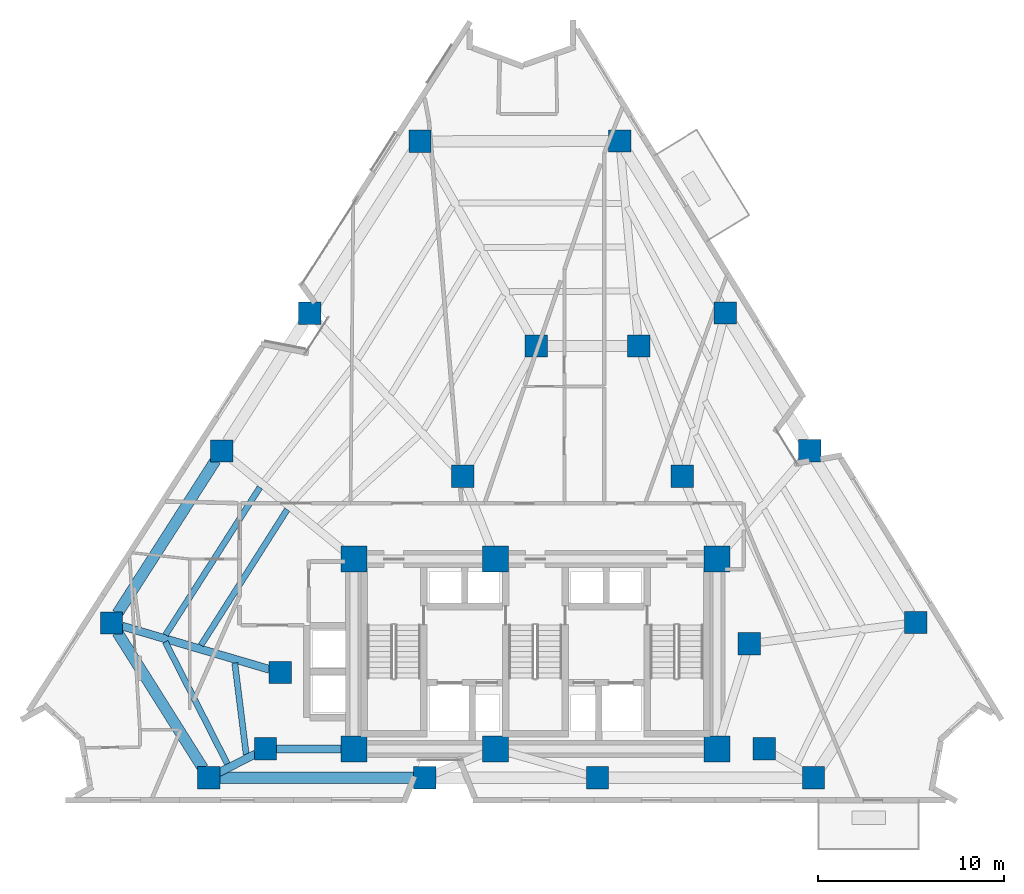
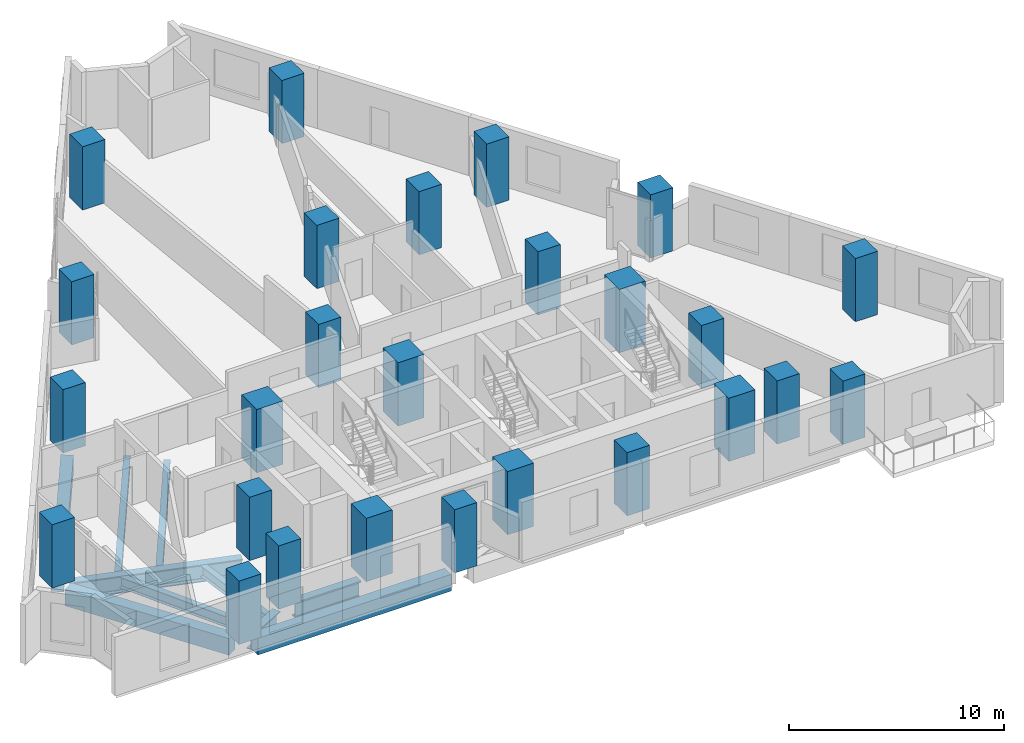
# One storey, part 1 of 13: 26 columns, 10 beams.
"""IFC4 building model written with IfcOpenShell, lengths in metres."""

from ifc_helpers import new_model, si_unit, direction, frame, origin, origin_2d, place, context, subcontext, project, spatial, rectangle, i_section, extrude, material, material_profile, profile_set, type_object, element, save


model = new_model("IFC4")

# Units and contexts
model_context = context("Model", 3, precision=1e-05, world=origin(), true_north=direction((0.0, 1.0)))
body_context = subcontext(model_context, "Body", "Model", "MODEL_VIEW")
ifc_project = project(units=[si_unit("LENGTHUNIT", "METRE"), si_unit("AREAUNIT", "SQUARE_METRE"), si_unit("VOLUMEUNIT", "CUBIC_METRE"), si_unit("PLANEANGLEUNIT", "RADIAN"), si_unit("MASSUNIT", "GRAM", prefix="KILO")], contexts=[model_context])

# Site, building, storey
site_placement = place(None, origin())
site = spatial("IfcSite", under=ifc_project, at=site_placement, CompositionType="ELEMENT")
building_placement = place(site_placement, origin())
building = spatial("IfcBuilding", under=site, at=building_placement, Name="Almagre Mirador Tower", CompositionType="ELEMENT")
storey_placement = place(building_placement, frame((0.0, 0.0, 85.800048828125)))
storey = spatial("IfcBuildingStorey", under=building, at=storey_placement, Name="L21", CompositionType="ELEMENT", Elevation=85.800048828125)

# Columns
ifc_material_1 = material(Name="Concrete C60/75", Category="concrete")
ifc_material_profile_1 = material_profile(ifc_material_1, rectangle(XDim=1.199951171875, YDim=1.199951171875, at=origin_2d()), Name="RC1200X1200")
ifc_profile_set_1 = profile_set([ifc_material_profile_1], Name="Concrete C60/75")
column_type_1 = type_object("IfcColumnType", Name="COL-RC1200", PredefinedType="COLUMN", material=ifc_profile_set_1)
for number, where, z_axis, x_axis, name in (
    (1, (22.800048828125, 4.550048828125, 0.0), (0.0, 0.0, 1.0), (1.0, 0.0, 0.0), "L21 interior transfer column MC1"),
    (2, (49.60009765625, 4.550048828125, 0.0), (0.0, 0.0, 1.0), (1.0, 0.0, 0.0), "L21 interior transfer column MC2"),
    (3, (48.800048828125, 10.199951171875, 0.0), (0.0, 0.0, 1.0), (1.0, 0.0, 0.0), "L21 interior transfer column MC3"),
    (4, (45.199951171875, 19.199951171875, 0.0), (0.0, 0.0, 1.0), (1.0, 0.0, 0.0), "L21 interior transfer column MC5"),
    (5, (42.85009765625, 26.199951171875, 0.0), (0.0, 0.0, 1.0), (1.0, 0.0, 0.0), "L21 interior transfer column MC6"),
    (6, (37.35009765625, 26.199951171875, 0.0), (0.0, 0.0, 1.0), (1.0, 0.0, 0.0), "L21 interior transfer column MC7"),
    (7, (33.39990234375, 19.199951171875, 0.0), (0.0, 0.0, 1.0), (1.0, 0.0, 0.0), "L21 interior transfer column MC8"),
    (8, (23.60009765625, 8.64990234375, 0.0), (0.0, 0.0, 1.0), (1.0, 0.0, 0.0), "L21 interior transfer column MC10"),
    (9, (19.760009765625, 3.0, 0.0), (0.0, 0.0, 1.0), (1.0, 0.0, 0.0), "L21 perimeter column PC01"),
    (10, (31.360107421875, 3.0, 0.0), (0.0, 0.0, 1.0), (1.0, 0.0, 0.0), "L21 perimeter column PC02"),
    (11, (40.639892578125, 3.0, 0.0), (0.0, 0.0, 1.0), (1.0, 0.0, 0.0), "L21 perimeter column PC03"),
    (12, (52.239990234375, 3.0, 0.0), (0.0, 0.0, 1.0), (1.0, 0.0, 0.0), "L21 perimeter column PC04"),
    (13, (57.72998046875, 11.3359375, 0.0), (0.0, 0.0, 1.0), (1.0, 0.0, 0.0), "L21 perimeter column PC05"),
    (14, (52.050048828125, 20.575927734375, 0.0), (0.0, 0.0, 1.0), (1.0, 0.0, 0.0), "L21 perimeter column PC06"),
    (15, (47.506103515625, 27.968017578125, 0.0), (0.0, 0.0, 1.0), (1.0, 0.0, 0.0), "L21 perimeter column PC07"),
    (16, (41.825927734375, 37.2080078125, 0.0), (0.0, 0.0, 1.0), (1.0, 0.0, 0.0), "L21 perimeter column PC08"),
    (17, (31.097900390625, 37.18896484375, 0.0), (0.0, 0.0, 1.0), (1.0, 0.0, 0.0), "L21 perimeter column PC09"),
    (18, (25.177978515625, 27.948974609375, 0.0), (0.0, 0.0, 1.0), (1.0, 0.0, 0.0), "L21 perimeter column PC10"),
    (19, (20.44189453125, 20.556884765625, 0.0), (0.0, 0.0, 1.0), (1.0, 0.0, 0.0), "L21 perimeter column PC11"),
    (20, (14.52197265625, 11.31689453125, 0.0), (0.0, 0.0, 1.0), (1.0, 0.0, 0.0), "L21 perimeter column PC12"),
):
    element("IfcColumn", number, at=place(storey_placement, frame(where, z_axis=z_axis, x_axis=x_axis)), inside=storey, type_object=column_type_1, Name=name, PredefinedType="COLUMN", context=body_context, shape_type="SweptSolid", body=[
        extrude(rectangle(XDim=1.199951171875, YDim=1.199951171875, at=origin_2d()), origin(), (0.0, 0.0, 1.0), 3.599853515625),
    ])
ifc_material_2 = material(Name="Concrete C60/75", Category="concrete")
ifc_material_profile_2 = material_profile(ifc_material_2, rectangle(XDim=1.39990234375, YDim=1.39990234375, at=origin_2d()), Name="RC1400X1400")
ifc_profile_set_2 = profile_set([ifc_material_profile_2], Name="Concrete C60/75")
column_type_2 = type_object("IfcColumnType", Name="COL-RC1400", PredefinedType="COLUMN", material=ifc_profile_set_2)
for number, where, z_axis, x_axis, name in (
    (21, (27.550048828125, 4.550048828125, 0.0), (0.0, 0.0, 1.0), (1.0, 0.0, 0.0), "L21 core spine column CC1"),
    (22, (35.14990234375, 4.550048828125, 0.0), (0.0, 0.0, 1.0), (1.0, 0.0, 0.0), "L21 core spine column CC2"),
    (23, (47.050048828125, 4.550048828125, 0.0), (0.0, 0.0, 1.0), (1.0, 0.0, 0.0), "L21 core spine column CC3"),
    (24, (27.550048828125, 14.75, 0.0), (0.0, 0.0, 1.0), (1.0, 0.0, 0.0), "L21 core spine column CC4"),
    (25, (35.14990234375, 14.75, 0.0), (0.0, 0.0, 1.0), (1.0, 0.0, 0.0), "L21 core spine column CC5"),
    (26, (47.050048828125, 14.75, 0.0), (0.0, 0.0, 1.0), (1.0, 0.0, 0.0), "L21 core spine column CC6"),
):
    element("IfcColumn", number, at=place(storey_placement, frame(where, z_axis=z_axis, x_axis=x_axis)), inside=storey, type_object=column_type_2, Name=name, PredefinedType="COLUMN", context=body_context, shape_type="SweptSolid", body=[
        extrude(rectangle(XDim=1.39990234375, YDim=1.39990234375, at=origin_2d()), origin(), (0.0, 0.0, 1.0), 3.599853515625),
    ])

# Beams
ifc_material_3 = material(Name="Steel ASTM A992 Grade 50", Category="steel")
ifc_material_profile_3 = material_profile(ifc_material_3, i_section(OverallWidth=0.323974609375, OverallDepth=0.611083984375, WebThickness=0.0126953125, FlangeThickness=0.01904296875, FilletRadius=0.02001953125, at=origin_2d()), Name="W24X104")
ifc_profile_set_3 = profile_set([ifc_material_profile_3], Name="Steel ASTM A992 Grade 50")
beam_type_1 = type_object("IfcBeamType", Name="BM-JST-W24X104", PredefinedType="JOIST", material=ifc_profile_set_3)
beam_1_placement = place(storey_placement, frame((22.499755859375, 18.601318359375, -0.5556640625), z_axis=(-0.538691298847, -0.842503225244, 0.0), x_axis=(0.842503225244, -0.538691298847, 0.0)))
element("IfcBeam", 27, at=beam_1_placement, inside=storey, type_object=beam_type_1, Name="L21 secondary floor joist PC11-PC12.1", PredefinedType="JOIST", context=body_context, shape_type="SweptSolid", body=[
    extrude(i_section(OverallWidth=0.323974609375, OverallDepth=0.611083984375, WebThickness=0.0126953125, FlangeThickness=0.01904296875, FilletRadius=0.02001953125, at=origin_2d()), origin(), (0.0, 0.0, 1.0), 9.40673828125),
])
beam_2_placement = place(storey_placement, frame((23.964599609375, 17.40478515625, -0.5556640625), z_axis=(-0.536295360878, -0.844030382096, 0.0), x_axis=(0.844030382096, -0.536295360878, 0.0)))
element("IfcBeam", 28, at=beam_2_placement, inside=storey, type_object=beam_type_1, Name="L21 secondary floor joist PC11-PC12.2", PredefinedType="JOIST", context=body_context, shape_type="SweptSolid", body=[
    extrude(i_section(OverallWidth=0.323974609375, OverallDepth=0.611083984375, WebThickness=0.0126953125, FlangeThickness=0.01904296875, FilletRadius=0.02001953125, at=origin_2d()), origin(), (0.0, 0.0, 1.0), 8.634033203125),
])
beam_3_placement = place(storey_placement, frame((17.4140625, 10.30517578125, -0.5556640625), z_axis=(0.453201108241, -0.891408298979, 0.0), x_axis=(0.891408298979, 0.453201108241, 0.0)))
element("IfcBeam", 29, at=beam_3_placement, inside=storey, type_object=beam_type_1, Name="L21 secondary floor joist PC12-PC01.1", PredefinedType="JOIST", context=body_context, shape_type="SweptSolid", body=[
    extrude(i_section(OverallWidth=0.323974609375, OverallDepth=0.611083984375, WebThickness=0.0126953125, FlangeThickness=0.01904296875, FilletRadius=0.02001953125, at=origin_2d()), origin(), (0.0, 0.0, 1.0), 7.35986328125),
])
beam_4_placement = place(storey_placement, frame((21.148681640625, 9.165771484375, -0.5556640625), z_axis=(0.124537963573, -0.992214843484, 0.0), x_axis=(0.992214843484, 0.124537963573, 0.0)))
element("IfcBeam", 30, at=beam_4_placement, inside=storey, type_object=beam_type_1, Name="L21 secondary floor joist PC12-PC01.3", PredefinedType="JOIST", context=body_context, shape_type="SweptSolid", body=[
    extrude(i_section(OverallWidth=0.323974609375, OverallDepth=0.611083984375, WebThickness=0.0126953125, FlangeThickness=0.01904296875, FilletRadius=0.02001953125, at=origin_2d()), origin(), (0.0, 0.0, 1.0), 4.955810546875),
])
ifc_material_4 = material(Name="Precast concrete C50/60", Category="concrete")
ifc_material_profile_4 = material_profile(ifc_material_4, rectangle(XDim=0.60009765625, YDim=0.949951171875, at=origin_2d()), Name="RC600X950")
ifc_profile_set_4 = profile_set([ifc_material_profile_4], Name="Precast concrete C50/60")
beam_type_2 = type_object("IfcBeamType", Name="BM-SPN-RC600X950", PredefinedType="SPANDREL", material=ifc_profile_set_4)
beam_5_placement = place(storey_placement, frame((20.360107421875, 3.0, -0.72509765625), z_axis=(1.0, 0.0, 0.0), x_axis=(0.0, 1.0, 0.0)))
element("IfcBeam", 31, at=beam_5_placement, inside=storey, type_object=beam_type_2, Name="L21 perimeter spandrel beam PC01-PC02", PredefinedType="SPANDREL", context=body_context, shape_type="SweptSolid", body=[
    extrude(rectangle(XDim=0.60009765625, YDim=0.949951171875, at=origin_2d()), origin(), (0.0, 0.0, 1.0), 10.39990234375),
])
beam_6_placement = place(storey_placement, frame((20.118408203125, 20.0517578125, -0.72509765625), z_axis=(-0.539476801219, -0.842000463745, 0.0), x_axis=(0.842000463745, -0.539476801219, 0.0)))
element("IfcBeam", 32, at=beam_6_placement, inside=storey, type_object=beam_type_2, Name="L21 perimeter spandrel beam PC11-PC12", PredefinedType="SPANDREL", context=body_context, shape_type="SweptSolid", body=[
    extrude(rectangle(XDim=0.60009765625, YDim=0.949951171875, at=origin_2d()), origin(), (0.0, 0.0, 1.0), 9.773681640625),
])
beam_7_placement = place(storey_placement, frame((14.841796875, 10.809326171875, -0.72509765625), z_axis=(0.532907818856, -0.846173301754, 0.0), x_axis=(0.846173301754, 0.532907818856, 0.0)))
element("IfcBeam", 33, at=beam_7_placement, inside=storey, type_object=beam_type_2, Name="L21 perimeter spandrel beam PC12-PC01", PredefinedType="SPANDREL", context=body_context, shape_type="SweptSolid", body=[
    extrude(rectangle(XDim=0.60009765625, YDim=0.949951171875, at=origin_2d()), origin(), (0.0, 0.0, 1.0), 8.62890625),
])
ifc_material_5 = material(Name="Steel ASTM A992 Grade 50", Category="steel")
ifc_material_profile_5 = material_profile(ifc_material_5, i_section(OverallWidth=0.427978515625, OverallDepth=0.97509765625, WebThickness=0.031005859375, FlangeThickness=0.055908203125, FilletRadius=0.028076171875, at=origin_2d()), Name="W36X395")
ifc_profile_set_5 = profile_set([ifc_material_profile_5], Name="Steel ASTM A992 Grade 50")
beam_type_3 = type_object("IfcBeamType", Name="BM-STL-W36X395", PredefinedType="BEAM", material=ifc_profile_set_5)
beam_8_placement = place(storey_placement, frame((20.29443359375, 3.2724609375, -0.737548828125), z_axis=(0.890845728366, 0.454305941247, 0.0), x_axis=(-0.454305941247, 0.890845728366, 0.0)))
element("IfcBeam", 34, at=beam_8_placement, inside=storey, type_object=beam_type_3, Name="L21 radial floor girder PC01-MC1", PredefinedType="BEAM", context=body_context, shape_type="SweptSolid", body=[
    extrude(i_section(OverallWidth=0.427978515625, OverallDepth=0.97509765625, WebThickness=0.031005859375, FlangeThickness=0.055908203125, FilletRadius=0.028076171875, at=origin_2d()), origin(), (0.0, 0.0, 1.0), 2.21240234375),
])
beam_9_placement = place(storey_placement, frame((15.09765625, 11.14794921875, -0.737548828125), z_axis=(0.959448747286, -0.281883134174, 0.0), x_axis=(0.281883134174, 0.959448747286, 0.0)))
element("IfcBeam", 35, at=beam_9_placement, inside=storey, type_object=beam_type_3, Name="L21 radial floor girder PC12-MC10", PredefinedType="BEAM", context=body_context, shape_type="SweptSolid", body=[
    extrude(i_section(OverallWidth=0.427978515625, OverallDepth=0.97509765625, WebThickness=0.031005859375, FlangeThickness=0.055908203125, FilletRadius=0.028076171875, at=origin_2d()), origin(), (0.0, 0.0, 1.0), 8.26171875),
])
ifc_material_6 = material(Name="Steel ASTM A992 Grade 50", Category="steel")
ifc_material_profile_6 = material_profile(ifc_material_6, i_section(OverallWidth=0.43701171875, OverallDepth=1.010986328125, WebThickness=0.041015625, FlangeThickness=0.073974609375, FilletRadius=0.028076171875, at=origin_2d()), Name="W36X529")
ifc_profile_set_6 = profile_set([ifc_material_profile_6], Name="Steel ASTM A992 Grade 50")
beam_type_4 = type_object("IfcBeamType", Name="BM-STL-W36X529", PredefinedType="BEAM", material=ifc_profile_set_6)
beam_10_placement = place(storey_placement, frame((23.39990234375, 4.550048828125, -0.755615234375), z_axis=(1.0, 0.0, 0.0), x_axis=(0.0, 1.0, 0.0)))
element("IfcBeam", 36, at=beam_10_placement, inside=storey, type_object=beam_type_4, Name="L21 core tie girder MC1-CC1", PredefinedType="BEAM", context=body_context, shape_type="SweptSolid", body=[
    extrude(i_section(OverallWidth=0.43701171875, OverallDepth=1.010986328125, WebThickness=0.041015625, FlangeThickness=0.073974609375, FilletRadius=0.028076171875, at=origin_2d()), origin(), (0.0, 0.0, 1.0), 3.4501953125),
])

save(model, "model.ifc")
